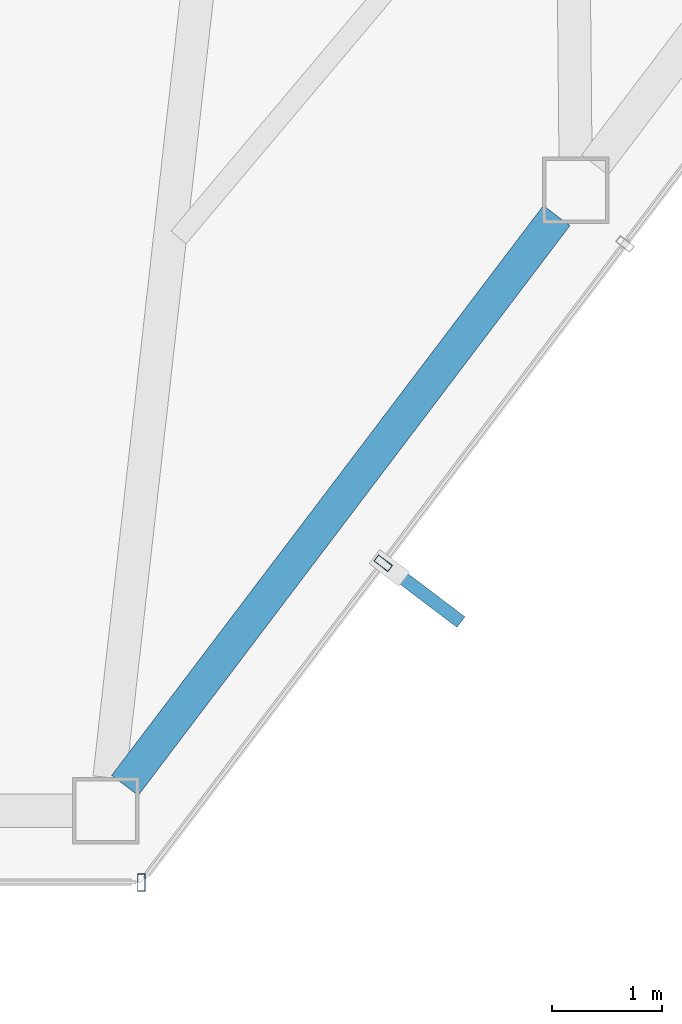
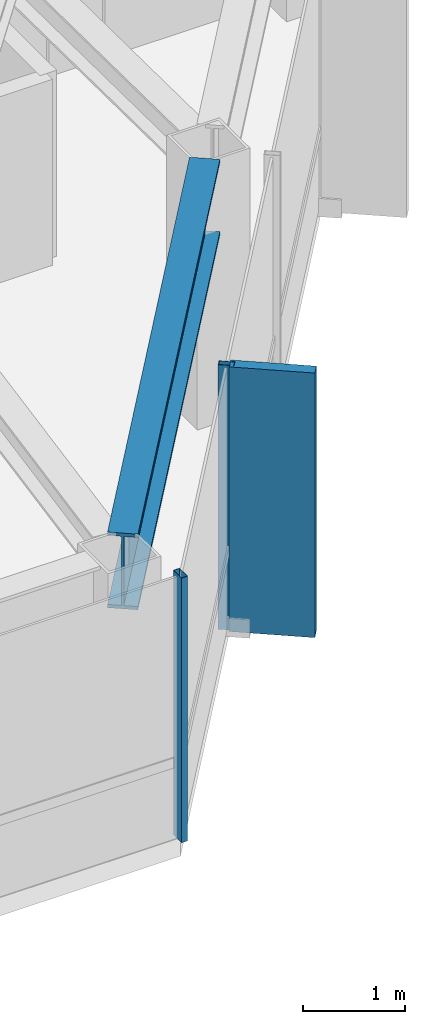
# One storey, part 8 of 28: 3 members, 1 beam, 2 elements without a shape of their own.
"""IFC4 building model written with IfcOpenShell, lengths in metres."""

from ifc_helpers import new_model, si_unit, direction, frame, origin, origin_2d, place, context, subcontext, project, spatial, rectangle, hollow_rectangle, i_section, extrude, material, layer, layer_set, material_profile, profile_set, type_object, element, aggregate, save


model = new_model("IFC4")

# Units and contexts
model_context = context("Model", 3, precision=1e-05, world=origin(), true_north=direction((0.0, 1.0)))
body_context = subcontext(model_context, "Body", "Model", "MODEL_VIEW")
ifc_project = project(units=[si_unit("LENGTHUNIT", "METRE"), si_unit("AREAUNIT", "SQUARE_METRE"), si_unit("VOLUMEUNIT", "CUBIC_METRE"), si_unit("PLANEANGLEUNIT", "RADIAN"), si_unit("MASSUNIT", "GRAM", prefix="KILO")], contexts=[model_context])

# Site, building, storey
site_placement = place(None, origin())
site = spatial("IfcSite", under=ifc_project, at=site_placement, CompositionType="ELEMENT")
building_placement = place(site_placement, origin())
building = spatial("IfcBuilding", under=site, at=building_placement, Name="Zarrinselat Tower", CompositionType="ELEMENT")
storey_placement = place(building_placement, frame((0.0, 0.0, 218.9599609375)))
storey = spatial("IfcBuildingStorey", under=building, at=storey_placement, Name="L54", CompositionType="ELEMENT", Elevation=218.9599609375)

# Beam
ifc_material_1 = material(Name="Steel S460M", Category="steel")
ifc_material_profile_1 = material_profile(ifc_material_1, i_section(OverallWidth=0.302001953125, OverallDepth=0.909912109375, WebThickness=0.02099609375, FlangeThickness=0.0400390625, at=origin_2d()), Name="HEM 900")
ifc_profile_set_1 = profile_set([ifc_material_profile_1], Name="Steel S460M")
beam_type = type_object("IfcBeamType", Name="BM-HEM900", PredefinedType="BEAM", material=ifc_profile_set_1)
beam_placement = place(storey_placement, frame((44.361083984375, 18.996337890625, 2.72509765625), z_axis=(0.603878711073, 0.797076221144, 0.0), x_axis=(-0.797076221144, 0.603878711073, 0.0)))
element("IfcBeam", 1, at=beam_placement, inside=storey, type_object=beam_type, Name="L54 Perimeter Spandrel Girder SP11", PredefinedType="BEAM", context=body_context, shape_type="SweptSolid", body=[
    extrude(i_section(OverallWidth=0.302001953125, OverallDepth=0.909912109375, WebThickness=0.02099609375, FlangeThickness=0.0400390625, at=origin_2d()), origin(), (0.0, 0.0, 1.0), 6.48388671875),
])

# Curtain wall, member
ifc_material_2 = material(Name="Extruded Aluminium Alloy EN AW-6063 T6", Category="aluminium")
ifc_layer = layer(ifc_material_2, 0.169921875)
ifc_layer_set = layer_set([ifc_layer], Name="Extruded Aluminium Alloy EN AW-6063 T6")
curtain_wall_type = type_object("IfcCurtainWallType", Name="CWS-RES", PredefinedType="NOTDEFINED", material=ifc_layer_set)
curtain_wall_1_placement = place(storey_placement, origin())
curtain_wall_1 = element("IfcCurtainWall", 2, at=curtain_wall_1_placement, inside=storey, type_object=curtain_wall_type, Name="L54 Unitised Curtain Wall CW-L54-E04", PredefinedType="NOTDEFINED")
ifc_material_3 = material(Name="Extruded Aluminium Alloy EN AW-6063 T6", Category="aluminium")
ifc_material_profile_2 = material_profile(ifc_material_3, hollow_rectangle(XDim=0.070068359375, YDim=0.159912109375, WallThickness=0.00390625, at=origin_2d()), Name="RHS 160x70x4")
ifc_profile_set_2 = profile_set([ifc_material_profile_2], Name="Extruded Aluminium Alloy EN AW-6063 T6")
member_type_1 = type_object("IfcMemberType", Name="MEM-CW-MUL2", PredefinedType="MULLION", material=ifc_profile_set_2)
member_1_placement = place(storey_placement, frame((44.51025390625, 18.11669921875, 0.0), z_axis=(0.0, 0.0, 1.0), x_axis=(1.0, 0.0, 0.0)))
member_1 = element("IfcMember", 3, at=member_1_placement, type_object=member_type_1, Name="CW-L54-E04 Mullion 4", PredefinedType="MULLION", context=body_context, shape_type="SweptSolid", body=[
    extrude(hollow_rectangle(XDim=0.070068359375, YDim=0.159912109375, WallThickness=0.00390625, at=origin_2d()), origin(), (0.0, 0.0, 1.0), 3.179931640625),
])
aggregate(curtain_wall_1, [member_1])

# Curtain wall, members
curtain_wall_2_placement = place(storey_placement, origin())
curtain_wall_2 = element("IfcCurtainWall", 4, at=curtain_wall_2_placement, inside=storey, type_object=curtain_wall_type, Name="L54 Unitised Curtain Wall CW-L54-E05", PredefinedType="NOTDEFINED")
member_2_placement = place(storey_placement, frame((46.703369140625, 21.01171875, 0.0), z_axis=(0.0, 0.0, 1.0), x_axis=(0.603859212041, 0.797090993572, 0.0)))
member_2 = element("IfcMember", 5, at=member_2_placement, type_object=member_type_1, Name="CW-L54-E05 Mullion 1", PredefinedType="MULLION", context=body_context, shape_type="SweptSolid", body=[
    extrude(hollow_rectangle(XDim=0.070068359375, YDim=0.159912109375, WallThickness=0.00390625, at=origin_2d()), origin(), (0.0, 0.0, 1.0), 3.179931640625),
])
ifc_material_4 = material(Name="Honed Cream Travertine Stone", Category="masonry")
ifc_material_profile_3 = material_profile(ifc_material_4, rectangle(XDim=0.1201171875, YDim=0.85009765625, at=origin_2d()), Name="FIN 850x120")
ifc_profile_set_3 = profile_set([ifc_material_profile_3], Name="Honed Cream Travertine Stone")
member_type_2 = type_object("IfcMemberType", Name="MEM-STONE-FIN", PredefinedType="USERDEFINED", material=ifc_profile_set_3)
member_3_placement = place(storey_placement, frame((47.070068359375, 20.73388671875, 0.0), z_axis=(0.0, 0.0, 1.0), x_axis=(-0.603859212041, -0.797090993572, 0.0)))
member_3 = element("IfcMember", 6, at=member_3_placement, type_object=member_type_2, Name="L54 Stone Shading Fin CW-L54-E05-01", ObjectType="FIN", PredefinedType="USERDEFINED", context=body_context, shape_type="SweptSolid", body=[
    extrude(rectangle(XDim=0.1201171875, YDim=0.85009765625, at=origin_2d()), origin(), (0.0, 0.0, 1.0), 3.179931640625),
])
aggregate(curtain_wall_2, [member_2, member_3])

save(model, "model.ifc")
